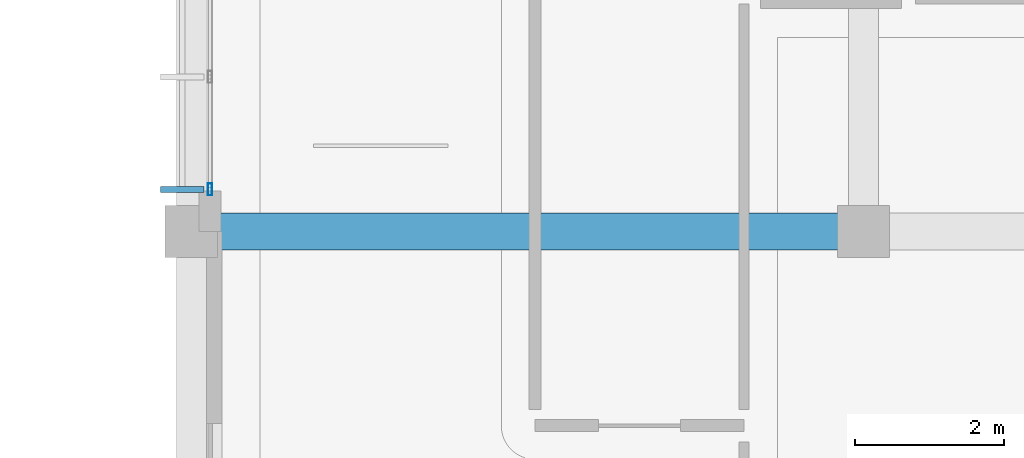
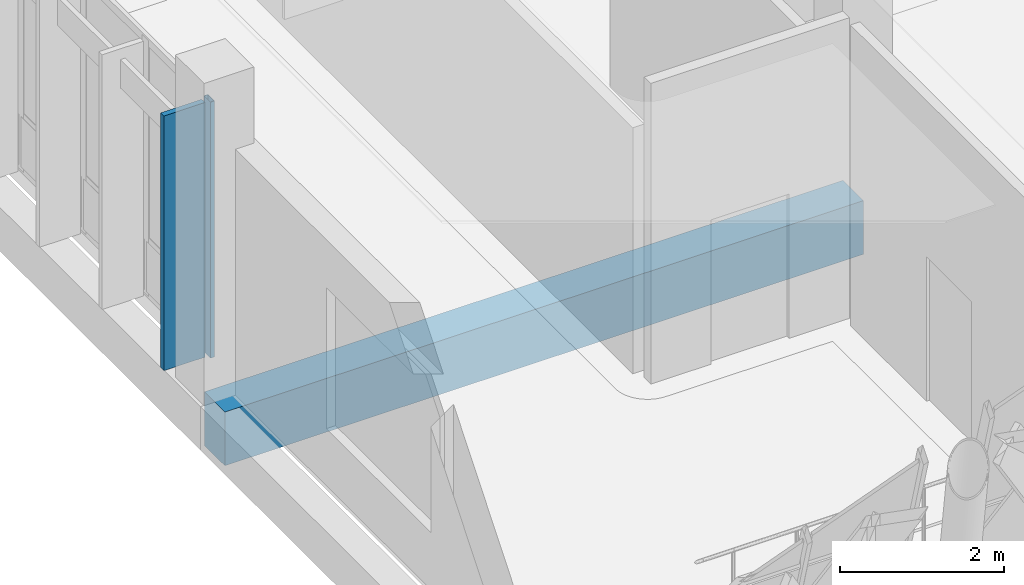
# One storey, part 50 of 177: 2 members, 1 beam, 1 element without a shape of its own.
"""IFC4 building model written with IfcOpenShell, lengths in metres."""

from ifc_helpers import new_model, si_unit, direction, frame, origin, origin_2d, place, context, subcontext, project, spatial, rectangle, hollow_rectangle, extrude, material, material_profile, profile_set, type_object, element, aggregate, save


model = new_model("IFC4")

# Units and contexts
model_context = context("Model", 3, precision=1e-05, world=origin(), true_north=direction((0.0, 1.0)))
body_context = subcontext(model_context, "Body", "Model", "MODEL_VIEW")
ifc_project = project(units=[si_unit("LENGTHUNIT", "METRE"), si_unit("AREAUNIT", "SQUARE_METRE"), si_unit("VOLUMEUNIT", "CUBIC_METRE"), si_unit("PLANEANGLEUNIT", "RADIAN"), si_unit("MASSUNIT", "GRAM", prefix="KILO")], contexts=[model_context])

# Site, building, storey
site_placement = place(None, origin())
site = spatial("IfcSite", under=ifc_project, at=site_placement, CompositionType="ELEMENT")
building_placement = place(site_placement, origin())
building = spatial("IfcBuilding", under=site, at=building_placement, Name="Chiffa Square Polytechnic", CompositionType="ELEMENT")
storey_placement = place(building_placement, frame((0.0, 0.0, 4.800048828125)))
storey = spatial("IfcBuildingStorey", under=building, at=storey_placement, Name="L01", CompositionType="ELEMENT", Elevation=4.800048828125)

# Beam
ifc_material_1 = material(Name="Concrete C40/50", Category="concrete")
ifc_material_profile_1 = material_profile(ifc_material_1, rectangle(XDim=0.5, YDim=0.800048828125, at=origin_2d()), Name="RC 500x800")
ifc_profile_set_1 = profile_set([ifc_material_profile_1], Name="Concrete C40/50")
beam_type = type_object("IfcBeamType", Name="BM-RC-500X800", PredefinedType="BEAM", material=ifc_profile_set_1)
beam_placement = place(storey_placement, frame((112.199951171875, 14.39990234375, -0.679931640625), z_axis=(1.0, 0.0, 0.0), x_axis=(0.0, 1.0, 0.0)))
element("IfcBeam", 1, at=beam_placement, inside=storey, type_object=beam_type, Name="Primary floor girder BM-V1-L01-X-1122-0144", PredefinedType="BEAM", context=body_context, shape_type="SweptSolid", body=[
    extrude(rectangle(XDim=0.5, YDim=0.800048828125, at=origin_2d()), origin(), (0.0, 0.0, 1.0), 9.0),
])

# Curtain wall, members
ifc_material_2 = material(Name="Aluminium EN AW-6060 T66 and glulam shading", Category="wood")
curtain_wall_type = type_object("IfcCurtainWallType", Name="CW-VERT-600X440", PredefinedType="USERDEFINED", material=ifc_material_2)
curtain_wall_placement = place(storey_placement, origin())
curtain_wall = element("IfcCurtainWall", 2, at=curtain_wall_placement, inside=storey, type_object=curtain_wall_type, Name="Curtain wall CW-V1-L01-129", ObjectType="CURTAIN WALL", PredefinedType="USERDEFINED")
ifc_material_3 = material(Name="Aluminium EN AW-6060 T66", Category="aluminium")
ifc_material_profile_2 = material_profile(ifc_material_3, hollow_rectangle(XDim=0.06005859375, YDim=0.159912109375, WallThickness=0.00390625, at=origin_2d()), Name="ALU 60x160x4")
ifc_profile_set_2 = profile_set([ifc_material_profile_2], Name="Aluminium EN AW-6060 T66")
member_type_1 = type_object("IfcMemberType", Name="CWM-ALU-65X150", PredefinedType="MULLION", material=ifc_profile_set_2)
member_1_placement = place(storey_placement, frame((112.449951171875, 14.965087890625, 0.0), z_axis=(0.0, 0.0, 1.0), x_axis=(1.0, 0.0, 0.0)))
member_1 = element("IfcMember", 3, at=member_1_placement, type_object=member_type_1, Name="Curtain wall mullion CW-V1-L01-129-M04", PredefinedType="MULLION", context=body_context, shape_type="SweptSolid", body=[
    extrude(hollow_rectangle(XDim=0.06005859375, YDim=0.159912109375, WallThickness=0.00390625, at=origin_2d()), origin(), (0.0, 0.0, 1.0), 3.81494140625),
])
ifc_material_4 = material(Name="Glulam GL28h", Category="wood")
ifc_material_profile_3 = material_profile(ifc_material_4, rectangle(XDim=0.080078125, YDim=0.580078125, at=origin_2d()), Name="GL28h 80x580")
ifc_profile_set_3 = profile_set([ifc_material_profile_3], Name="Glulam GL28h")
member_type_2 = type_object("IfcMemberType", Name="CWM-GL-80X580", PredefinedType="MULLION", material=ifc_profile_set_3)
member_2_placement = place(storey_placement, frame((112.077880859375, 14.965087890625, 0.010009765625), z_axis=(0.0, 0.0, 1.0), x_axis=(0.0, -1.0, 0.0)))
member_2 = element("IfcMember", 4, at=member_2_placement, type_object=member_type_2, Name="Exterior glulam solar fin CW-V1-L01-129-FN04", PredefinedType="MULLION", context=body_context, shape_type="SweptSolid", body=[
    extrude(rectangle(XDim=0.080078125, YDim=0.580078125, at=origin_2d()), origin(), (0.0, 0.0, 1.0), 3.794921875),
])
aggregate(curtain_wall, [member_1, member_2])

save(model, "model.ifc")
